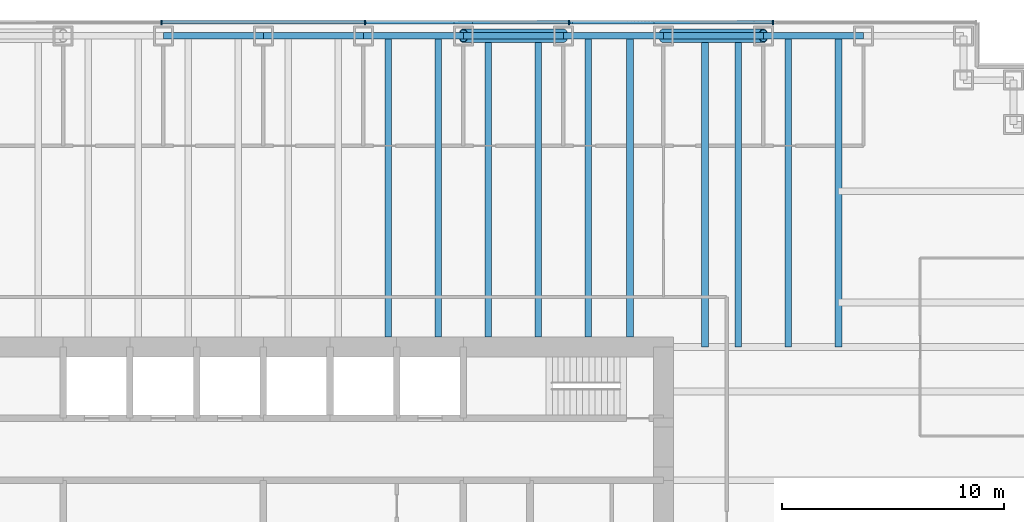
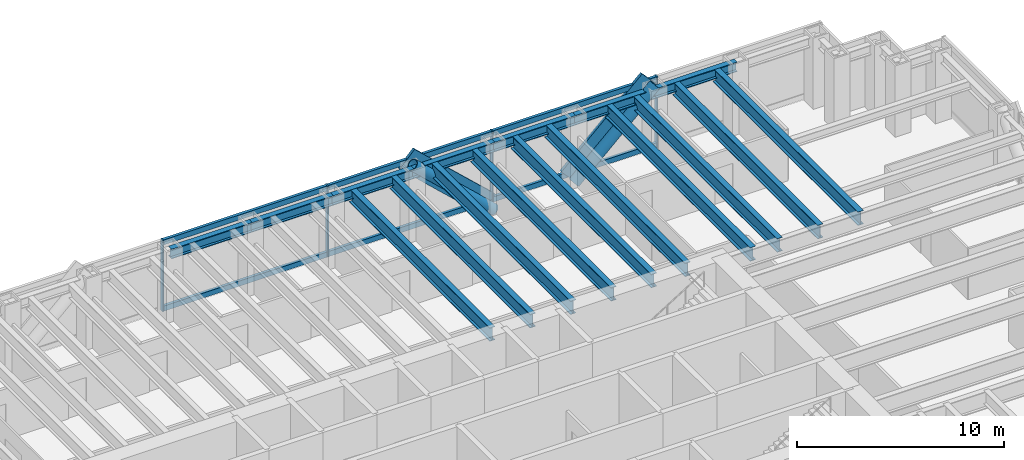
# One storey, part 7 of 16: 17 beams, 14 members, 1 element without a shape of its own.
"""IFC4 building model written with IfcOpenShell, lengths in metres."""

from ifc_helpers import new_model, si_unit, direction, frame, origin, origin_2d, place, context, subcontext, project, spatial, rectangle, hollow_circle, i_section, extrude, material, material_profile, profile_set, type_object, element, aggregate, save


model = new_model("IFC4")

# Units and contexts
model_context = context("Model", 3, precision=1e-05, world=origin(), true_north=direction((0.0, 1.0)))
body_context = subcontext(model_context, "Body", "Model", "MODEL_VIEW")
ifc_project = project(units=[si_unit("LENGTHUNIT", "METRE"), si_unit("AREAUNIT", "SQUARE_METRE"), si_unit("VOLUMEUNIT", "CUBIC_METRE"), si_unit("PLANEANGLEUNIT", "RADIAN"), si_unit("MASSUNIT", "GRAM", prefix="KILO")], contexts=[model_context])

# Site, building, storey
site_placement = place(None, origin())
site = spatial("IfcSite", under=ifc_project, at=site_placement, CompositionType="ELEMENT")
building_placement = place(site_placement, origin())
building = spatial("IfcBuilding", under=site, at=building_placement, Name="Rheinbord Bourse Tower", CompositionType="ELEMENT")
storey_placement = place(building_placement, frame((0.0, 0.0, 171.89990234375)))
storey = spatial("IfcBuildingStorey", under=building, at=storey_placement, Name="L38", CompositionType="ELEMENT", Elevation=171.89990234375)

# Curtain wall, members
ifc_material_1 = material(Name="Dark glass and black aluminium", Category="aluminium")
curtain_wall_type = type_object("IfcCurtainWallType", Name="CW2 DARK GLASS CURTAIN WALL", PredefinedType="USERDEFINED", material=ifc_material_1)
curtain_wall_placement = place(storey_placement, origin())
curtain_wall = element("IfcCurtainWall", 1, at=curtain_wall_placement, inside=storey, type_object=curtain_wall_type, Name="Curtain wall CW2 N L38", ObjectType="UNITISED CURTAIN WALL", PredefinedType="USERDEFINED")
ifc_material_2 = material(Name="Black anodised aluminium", Category="aluminium")
ifc_material_profile_1 = material_profile(ifc_material_2, rectangle(XDim=0.159912109375, YDim=1.2099609375, at=origin_2d()), Name="CW2 DIAGONAL MULLION 1210x160")
ifc_profile_set_1 = profile_set([ifc_material_profile_1], Name="Black anodised aluminium")
member_type_1 = type_object("IfcMemberType", Name="CW2 BLACK DIAGONAL MULLION", PredefinedType="USERDEFINED", material=ifc_profile_set_1)
member_1_placement = place(storey_placement, frame((54.0, 46.60009765625, 0.0), z_axis=(0.731039441158, 0.0, 0.682335207557), x_axis=(0.0, 1.0, 0.0)))
member_1 = element("IfcMember", 2, at=member_1_placement, type_object=member_type_1, Name="CW2 diagonal mullion a", ObjectType="DIAGONAL MULLION", PredefinedType="USERDEFINED", context=body_context, shape_type="SweptSolid", body=[
    extrude(rectangle(XDim=0.159912109375, YDim=1.2099609375, at=origin_2d()), origin(), (0.0, 0.0, 1.0), 6.155517578125),
])
member_2_placement = place(storey_placement, frame((49.5, 46.60009765625, 0.0), z_axis=(-0.731039441158, 0.0, 0.682335207557), x_axis=(0.0, -1.0, 0.0)))
member_2 = element("IfcMember", 3, at=member_2_placement, type_object=member_type_1, Name="CW2 diagonal mullion c", ObjectType="DIAGONAL MULLION", PredefinedType="USERDEFINED", context=body_context, shape_type="SweptSolid", body=[
    extrude(rectangle(XDim=0.159912109375, YDim=1.2099609375, at=origin_2d()), origin(), (0.0, 0.0, 1.0), 6.155517578125),
])
ifc_material_3 = material(Name="Black anodised aluminium", Category="aluminium")
ifc_material_profile_2 = material_profile(ifc_material_3, rectangle(XDim=0.219970703125, YDim=0.070068359375, at=origin_2d()), Name="CW2 MULLION 70x220")
ifc_profile_set_2 = profile_set([ifc_material_profile_2], Name="Black anodised aluminium")
member_type_2 = type_object("IfcMemberType", Name="CW2 BLACK MULLION", PredefinedType="MULLION", material=ifc_profile_set_2)
member_3_placement = place(storey_placement, frame((58.928466796875, 46.60009765625, 0.0), z_axis=(0.0, 0.0, 1.0), x_axis=(0.0, -1.0, 0.0)))
member_3 = element("IfcMember", 4, at=member_3_placement, type_object=member_type_2, Name="CW2 mullion 2", PredefinedType="MULLION", context=body_context, shape_type="SweptSolid", body=[
    extrude(rectangle(XDim=0.219970703125, YDim=0.070068359375, at=origin_2d()), origin(), (0.0, 0.0, 1.0), 4.2001953125),
])
member_4_placement = place(storey_placement, frame((49.757080078125, 46.60009765625, 0.0), z_axis=(0.0, 0.0, 1.0), x_axis=(0.0, -1.0, 0.0)))
member_4 = element("IfcMember", 5, at=member_4_placement, type_object=member_type_2, Name="CW2 mullion 3", PredefinedType="MULLION", context=body_context, shape_type="SweptSolid", body=[
    extrude(rectangle(XDim=0.219970703125, YDim=0.070068359375, at=origin_2d()), origin(), (0.0, 0.0, 1.0), 4.2001953125),
])
member_5_placement = place(storey_placement, frame((40.585693359375, 46.60009765625, 0.0), z_axis=(0.0, 0.0, 1.0), x_axis=(0.0, -1.0, 0.0)))
member_5 = element("IfcMember", 6, at=member_5_placement, type_object=member_type_2, Name="CW2 mullion 4", PredefinedType="MULLION", context=body_context, shape_type="SweptSolid", body=[
    extrude(rectangle(XDim=0.219970703125, YDim=0.070068359375, at=origin_2d()), origin(), (0.0, 0.0, 1.0), 4.2001953125),
])
member_6_placement = place(storey_placement, frame((31.414306640625, 46.60009765625, 0.0), z_axis=(0.0, 0.0, 1.0), x_axis=(0.0, -1.0, 0.0)))
member_6 = element("IfcMember", 7, at=member_6_placement, type_object=member_type_2, Name="CW2 mullion 5", PredefinedType="MULLION", context=body_context, shape_type="SweptSolid", body=[
    extrude(rectangle(XDim=0.219970703125, YDim=0.070068359375, at=origin_2d()), origin(), (0.0, 0.0, 1.0), 4.2001953125),
])
ifc_material_4 = material(Name="Black anodised aluminium", Category="aluminium")
ifc_material_profile_3 = material_profile(ifc_material_4, rectangle(XDim=0.159912109375, YDim=0.300048828125, at=origin_2d()), Name="CW2 TRANSOM 300x160")
ifc_profile_set_3 = profile_set([ifc_material_profile_3], Name="Black anodised aluminium")
member_type_3 = type_object("IfcMemberType", Name="CW2 BLACK TRANSOM", PredefinedType="USERDEFINED", material=ifc_profile_set_3)
member_7_placement = place(storey_placement, frame((58.8935546875, 46.60009765625, 0.150146484375), z_axis=(-1.0, 0.0, 0.0), x_axis=(0.0, -1.0, 0.0)))
member_7 = element("IfcMember", 8, at=member_7_placement, type_object=member_type_3, Name="CW2 transom 2.1", ObjectType="TRANSOM", PredefinedType="USERDEFINED", context=body_context, shape_type="SweptSolid", body=[
    extrude(rectangle(XDim=0.159912109375, YDim=0.300048828125, at=origin_2d()), origin(), (0.0, 0.0, 1.0), 9.101318359375),
])
member_8_placement = place(storey_placement, frame((58.8935546875, 46.60009765625, 4.050048828125), z_axis=(-1.0, 0.0, 0.0), x_axis=(0.0, -1.0, 0.0)))
member_8 = element("IfcMember", 9, at=member_8_placement, type_object=member_type_3, Name="CW2 transom 2.2", ObjectType="TRANSOM", PredefinedType="USERDEFINED", context=body_context, shape_type="SweptSolid", body=[
    extrude(rectangle(XDim=0.159912109375, YDim=0.300048828125, at=origin_2d()), origin(), (0.0, 0.0, 1.0), 9.101318359375),
])
member_9_placement = place(storey_placement, frame((49.72216796875, 46.60009765625, 0.150146484375), z_axis=(-1.0, 0.0, 0.0), x_axis=(0.0, -1.0, 0.0)))
member_9 = element("IfcMember", 10, at=member_9_placement, type_object=member_type_3, Name="CW2 transom 3.1", ObjectType="TRANSOM", PredefinedType="USERDEFINED", context=body_context, shape_type="SweptSolid", body=[
    extrude(rectangle(XDim=0.159912109375, YDim=0.300048828125, at=origin_2d()), origin(), (0.0, 0.0, 1.0), 9.1015625),
])
member_10_placement = place(storey_placement, frame((49.72216796875, 46.60009765625, 4.050048828125), z_axis=(-1.0, 0.0, 0.0), x_axis=(0.0, -1.0, 0.0)))
member_10 = element("IfcMember", 11, at=member_10_placement, type_object=member_type_3, Name="CW2 transom 3.2", ObjectType="TRANSOM", PredefinedType="USERDEFINED", context=body_context, shape_type="SweptSolid", body=[
    extrude(rectangle(XDim=0.159912109375, YDim=0.300048828125, at=origin_2d()), origin(), (0.0, 0.0, 1.0), 9.1015625),
])
member_11_placement = place(storey_placement, frame((40.55078125, 46.60009765625, 0.150146484375), z_axis=(-1.0, 0.0, 0.0), x_axis=(0.0, -1.0, 0.0)))
member_11 = element("IfcMember", 12, at=member_11_placement, type_object=member_type_3, Name="CW2 transom 4.1", ObjectType="TRANSOM", PredefinedType="USERDEFINED", context=body_context, shape_type="SweptSolid", body=[
    extrude(rectangle(XDim=0.159912109375, YDim=0.300048828125, at=origin_2d()), origin(), (0.0, 0.0, 1.0), 9.1015625),
])
member_12_placement = place(storey_placement, frame((40.55078125, 46.60009765625, 4.050048828125), z_axis=(-1.0, 0.0, 0.0), x_axis=(0.0, -1.0, 0.0)))
member_12 = element("IfcMember", 13, at=member_12_placement, type_object=member_type_3, Name="CW2 transom 4.2", ObjectType="TRANSOM", PredefinedType="USERDEFINED", context=body_context, shape_type="SweptSolid", body=[
    extrude(rectangle(XDim=0.159912109375, YDim=0.300048828125, at=origin_2d()), origin(), (0.0, 0.0, 1.0), 9.1015625),
])
aggregate(curtain_wall, [member_3, member_4, member_5, member_6, member_7, member_8, member_9, member_10, member_11, member_12, member_1, member_2])

# Beams
ifc_material_5 = material(Name="Steel S460", Category="steel")
ifc_material_profile_4 = material_profile(ifc_material_5, i_section(OverallWidth=0.300048828125, OverallDepth=0.800048828125, WebThickness=0.017578125, FlangeThickness=0.032958984375, at=origin_2d()), Name="HEB 800")
ifc_profile_set_4 = profile_set([ifc_material_profile_4], Name="Steel S460")
beam_type_1 = type_object("IfcBeamType", Name="FLOOR BEAM HEB 800", PredefinedType="BEAM", material=ifc_profile_set_4)
for number, where, z_axis, x_axis, name in (
    (14, (41.625, 46.0, 3.64013671875), (0.0, -1.0, 0.0), (1.0, 0.0, 0.0), "Floor beam N-40.5a L39"),
    (15, (43.875, 46.0, 3.64013671875), (0.0, -1.0, 0.0), (1.0, 0.0, 0.0), "Floor beam N-40.5b L39"),
    (16, (46.125, 46.0, 3.64013671875), (0.0, -1.0, 0.0), (1.0, 0.0, 0.0), "Floor beam N-45a L39"),
    (17, (48.375, 46.0, 3.64013671875), (0.0, -1.0, 0.0), (1.0, 0.0, 0.0), "Floor beam N-45b L39"),
    (18, (50.625, 46.0, 3.64013671875), (0.0, -1.0, 0.0), (1.0, 0.0, 0.0), "Floor beam N-49.5a L39"),
    (19, (52.5, 46.0, 3.64013671875), (0.0, -1.0, 0.0), (1.0, 0.0, 0.0), "Floor beam N-49.5b L39"),
):
    element("IfcBeam", number, at=place(storey_placement, frame(where, z_axis=z_axis, x_axis=x_axis)), inside=storey, type_object=beam_type_1, Name=name, PredefinedType="BEAM", context=body_context, shape_type="SweptSolid", body=[
        extrude(i_section(OverallWidth=0.300048828125, OverallDepth=0.800048828125, WebThickness=0.017578125, FlangeThickness=0.032958984375, at=origin_2d()), origin(), (0.0, 0.0, 1.0), 13.550048828125),
    ])
for number, where, z_axis, x_axis, name in (
    (20, (55.875, 46.0, 3.64013671875), (0.0, -1.0, 0.0), (1.0, 0.0, 0.0), "Floor beam N-54a L39"),
    (21, (57.375, 46.0, 3.64013671875), (0.0, -1.0, 0.0), (1.0, 0.0, 0.0), "Floor beam N-54b L39"),
    (22, (59.625, 46.0, 3.64013671875), (0.0, -1.0, 0.0), (1.0, 0.0, 0.0), "Floor beam N-58.5a L39"),
    (23, (61.875, 46.0, 3.64013671875), (0.0, -1.0, 0.0), (1.0, 0.0, 0.0), "Floor beam N-58.5b L39"),
):
    element("IfcBeam", number, at=place(storey_placement, frame(where, z_axis=z_axis, x_axis=x_axis)), inside=storey, type_object=beam_type_1, Name=name, PredefinedType="BEAM", context=body_context, shape_type="SweptSolid", body=[
        extrude(i_section(OverallWidth=0.300048828125, OverallDepth=0.800048828125, WebThickness=0.017578125, FlangeThickness=0.032958984375, at=origin_2d()), origin(), (0.0, 0.0, 1.0), 14.0),
    ])

# Members
ifc_material_6 = material(Name="Steel S460", Category="steel")
ifc_material_profile_5 = material_profile(ifc_material_6, hollow_circle(Radius=0.304931640625, WallThickness=0.0400390625, at=origin_2d()), Name="CHS 610x40")
ifc_profile_set_5 = profile_set([ifc_material_profile_5], Name="Steel S460")
member_type_4 = type_object("IfcMemberType", Name="MEGABRACE CHS 610x40", PredefinedType="BRACE", material=ifc_profile_set_5)
for number, where, z_axis, x_axis, name in (
    (24, (54.0, 46.0, 0.0), (0.731039441158, 0.0, 0.682335207557), (0.0, 1.0, 0.0), "Megabrace N face line a L38"),
    (25, (49.5, 46.0, 0.0), (-0.731039441158, 0.0, 0.682335207557), (0.0, -1.0, 0.0), "Megabrace N face line c L38"),
):
    element("IfcMember", number, at=place(storey_placement, frame(where, z_axis=z_axis, x_axis=x_axis)), inside=storey, type_object=member_type_4, Name=name, PredefinedType="BRACE", context=body_context, shape_type="SweptSolid", body=[
        extrude(hollow_circle(Radius=0.304931640625, WallThickness=0.0400390625, at=origin_2d()), origin(), (0.0, 0.0, 1.0), 6.155517578125),
    ])

# Beams
ifc_material_7 = material(Name="Steel S460", Category="steel")
ifc_material_profile_6 = material_profile(ifc_material_7, i_section(OverallWidth=0.305908203125, OverallDepth=0.572021484375, WebThickness=0.02099609375, FlangeThickness=0.0400390625, at=origin_2d()), Name="HEM 550")
ifc_profile_set_6 = profile_set([ifc_material_profile_6], Name="Steel S460")
beam_type_2 = type_object("IfcBeamType", Name="SPANDREL HEM 550", PredefinedType="SPANDREL", material=ifc_profile_set_6)
for number, where, z_axis, x_axis, name in (
    (26, (63.0, 46.0, 3.754150390625), (-1.0, 0.0, 0.0), (0.0, -1.0, 0.0), "Spandrel N-63-N-58.5 under L39"),
    (27, (58.5, 46.0, 3.754150390625), (-1.0, 0.0, 0.0), (0.0, -1.0, 0.0), "Spandrel N-58.5-N-54 under L39"),
    (28, (54.0, 46.0, 3.754150390625), (-1.0, 0.0, 0.0), (0.0, -1.0, 0.0), "Spandrel N-54-N-49.5 under L39"),
    (29, (49.5, 46.0, 3.754150390625), (-1.0, 0.0, 0.0), (0.0, -1.0, 0.0), "Spandrel N-49.5-N-45 under L39"),
    (30, (45.0, 46.0, 3.754150390625), (-1.0, 0.0, 0.0), (0.0, -1.0, 0.0), "Spandrel N-45-N-40.5 under L39"),
    (31, (40.5, 46.0, 3.754150390625), (-1.0, 0.0, 0.0), (0.0, -1.0, 0.0), "Spandrel N-40.5-N-36 under L39"),
    (32, (36.0, 46.0, 3.754150390625), (-1.0, 0.0, 0.0), (0.0, -1.0, 0.0), "Spandrel N-36-N-31.5 under L39"),
):
    element("IfcBeam", number, at=place(storey_placement, frame(where, z_axis=z_axis, x_axis=x_axis)), inside=storey, type_object=beam_type_2, Name=name, PredefinedType="SPANDREL", context=body_context, shape_type="SweptSolid", body=[
        extrude(i_section(OverallWidth=0.305908203125, OverallDepth=0.572021484375, WebThickness=0.02099609375, FlangeThickness=0.0400390625, at=origin_2d()), origin(), (0.0, 0.0, 1.0), 4.5),
    ])

save(model, "model.ifc")
